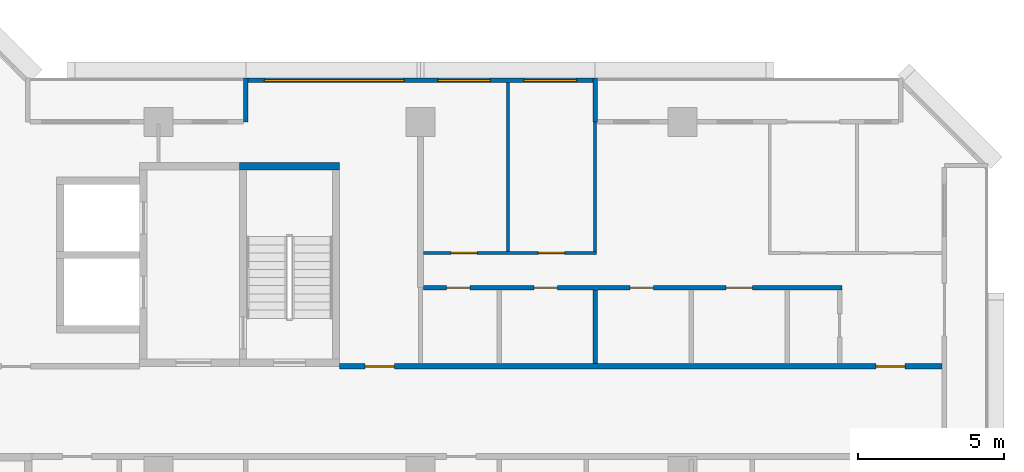
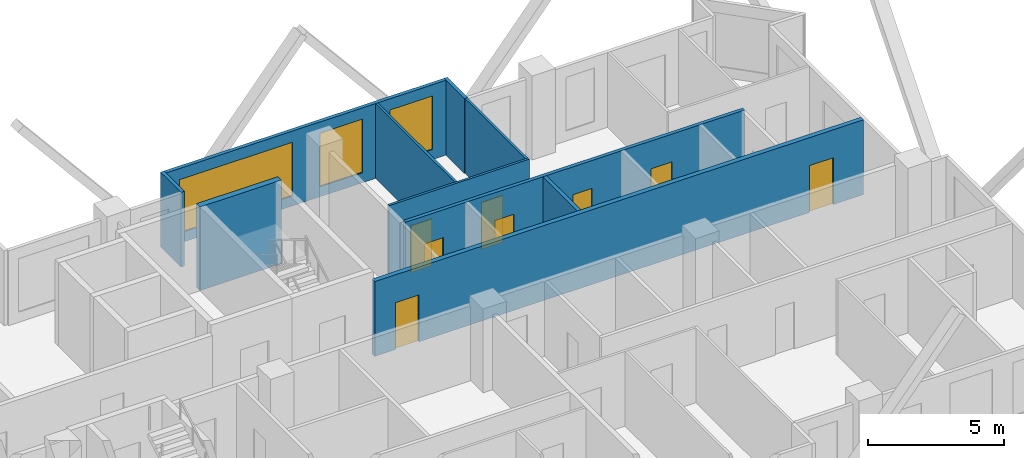
# One storey, part 8 of 16: 10 walls, 8 doors, 3 windows, 11 openings.
"""IFC4 building model written with IfcOpenShell, lengths in metres."""

from ifc_helpers import new_model, si_unit, direction, frame, frame_2d, origin, place, context, subcontext, project, spatial, rectangle, extrude, material, layer, layer_set, type_object, element, fill, save


model = new_model("IFC4")

# Units and contexts
model_context = context("Model", 3, precision=1e-05, world=origin(), true_north=direction((0.0, 1.0)))
body_context = subcontext(model_context, "Body", "Model", "MODEL_VIEW")
ifc_project = project(units=[si_unit("LENGTHUNIT", "METRE"), si_unit("AREAUNIT", "SQUARE_METRE"), si_unit("VOLUMEUNIT", "CUBIC_METRE"), si_unit("PLANEANGLEUNIT", "RADIAN"), si_unit("MASSUNIT", "GRAM", prefix="KILO")], contexts=[model_context])

# Site, building, storey
site_placement = place(None, origin())
site = spatial("IfcSite", under=ifc_project, at=site_placement, CompositionType="ELEMENT")
building_placement = place(site_placement, origin())
building = spatial("IfcBuilding", under=site, at=building_placement, Name="Chenar Terraces", CompositionType="ELEMENT")
storey_placement = place(building_placement, frame((0.0, 0.0, 99.39990234375)))
storey = spatial("IfcBuildingStorey", under=building, at=storey_placement, Name="L22", CompositionType="ELEMENT", Elevation=99.39990234375)

# Wall
ifc_material_1 = material(Name="Concrete C70/85", Category="concrete")
ifc_layer_1 = layer(ifc_material_1, 0.25)
ifc_layer_set_1 = layer_set([ifc_layer_1], Name="Concrete C70/85")
wall_type_1 = type_object("IfcWallType", Name="Core wall 250 Concrete C70/85", PredefinedType="SHEAR", material=ifc_layer_set_1)
wall_1_placement = place(storey_placement, frame((47.77490234375, 22.47509765625, 0.0), z_axis=(0.0, 0.0, 1.0), x_axis=(1.0, 0.0, 0.0)))
element("IfcWall", 1, at=wall_1_placement, inside=storey, type_object=wall_type_1, Name="Core wall ST3_N L22", PredefinedType="SHEAR", context=body_context, shape_type="SweptSolid", body=[
    extrude(rectangle(XDim=3.4501953125, YDim=0.25, at=frame_2d((1.72509765625, 0.0))), origin(), (0.0, 0.0, 1.0), 3.75),
])

# Wall, openings, doors
ifc_material_2 = material(Name="Gypsum board on steel studs with fire boards", Category="steel")
ifc_layer_2 = layer(ifc_material_2, 0.199951171875)
ifc_layer_set_2 = layer_set([ifc_layer_2], Name="Gypsum board on steel studs with fire boards")
wall_type_2 = type_object("IfcWallType", Name="Corridor wall 200", PredefinedType="PARTITIONING", material=ifc_layer_set_2)
wall_2_placement = place(storey_placement, frame((51.22509765625, 15.60009765625, 0.0), z_axis=(0.0, 0.0, 1.0), x_axis=(1.0, 0.0, 0.0)))
wall_2 = element("IfcWall", 2, at=wall_2_placement, inside=storey, type_object=wall_type_2, Name="Partition L22-074", PredefinedType="PARTITIONING", context=body_context, shape_type="SweptSolid", body=[
    extrude(rectangle(XDim=20.700927734375, YDim=0.199951171875, at=frame_2d((10.3505859375, 0.0))), origin(), (0.0, 0.0, 1.0), 3.35009765625),
])
opening_1_placement = place(wall_2_placement, frame((18.425048828125, 0.0, 0.0)))
opening_1 = element("IfcOpeningElement", 3, at=opening_1_placement, cuts=wall_2, Name="Opening DL22-10", PredefinedType="OPENING", context=body_context, shape_type="SweptSolid", body=[
    extrude(rectangle(XDim=1.0, YDim=2.10009765625, at=frame_2d((0.5, 1.050048828125))), frame((0.0, 0.10986328125, 0.0), z_axis=(0.0, -1.0, 0.0), x_axis=(1.0, 0.0, 0.0)), (0.0, 0.0, 1.0), 0.219970703125),
])
opening_2_placement = place(wall_2_placement, frame((0.875, 0.0, 0.0)))
opening_2 = element("IfcOpeningElement", 4, at=opening_2_placement, cuts=wall_2, Name="Opening DL22-51", PredefinedType="OPENING", context=body_context, shape_type="SweptSolid", body=[
    extrude(rectangle(XDim=1.0, YDim=2.10009765625, at=frame_2d((0.5, 1.050048828125))), frame((0.0, 0.10986328125, 0.0), z_axis=(0.0, -1.0, 0.0), x_axis=(1.0, 0.0, 0.0)), (0.0, 0.0, 1.0), 0.219970703125),
])
ifc_material_3 = material(Name="Steel-framed fire-resisting door leaf", Category="steel")
door_type_1 = type_object("IfcDoorType", Name="Fire door FD30S 1000 x 2100", OperationType="SINGLE_SWING_LEFT", PredefinedType="DOOR", material=ifc_material_3)
door_1_placement = place(opening_1_placement, origin())
door_1 = element("IfcDoor", 5, at=door_1_placement, inside=storey, type_object=door_type_1, Name="Door DL22-10", OperationType="SINGLE_SWING_LEFT", OverallHeight=2.10009765625, OverallWidth=1.0, PredefinedType="DOOR", context=body_context, shape_type="SweptSolid", body=[
    extrude(rectangle(XDim=1.0, YDim=2.10009765625, at=frame_2d((0.5, 1.050048828125))), frame((0.0, 0.02490234375, 0.0), z_axis=(0.0, -1.0, 0.0), x_axis=(1.0, 0.0, 0.0)), (0.0, 0.0, 1.0), 0.050048828125),
])
fill(opening_1, door_1)
door_2_placement = place(opening_2_placement, origin())
door_2 = element("IfcDoor", 6, at=door_2_placement, inside=storey, type_object=door_type_1, Name="Door DL22-51", OperationType="SINGLE_SWING_RIGHT", OverallHeight=2.10009765625, OverallWidth=1.0, PredefinedType="DOOR", context=body_context, shape_type="SweptSolid", body=[
    extrude(rectangle(XDim=1.0, YDim=2.10009765625, at=frame_2d((0.5, 1.050048828125))), frame((0.0, 0.02490234375, 0.0), z_axis=(0.0, -1.0, 0.0), x_axis=(1.0, 0.0, 0.0)), (0.0, 0.0, 1.0), 0.050048828125),
])
fill(opening_2, door_2)

# Wall, openings, windows
ifc_material_4 = material(Name="Aluminium framed glazing", Category="aluminium")
ifc_layer_3 = layer(ifc_material_4, 0.14990234375)
ifc_layer_set_3 = layer_set([ifc_layer_3], Name="Aluminium framed glazing")
wall_type_3 = type_object("IfcWallType", Name="Glazed flush facade wall 150", PredefinedType="SOLIDWALL", material=ifc_layer_set_3)
wall_3_placement = place(storey_placement, frame((59.925048828125, 25.425048828125, 0.0), z_axis=(0.0, 0.0, 1.0), x_axis=(-1.0, 0.0, 0.0)))
wall_3 = element("IfcWall", 7, at=wall_3_placement, inside=storey, type_object=wall_type_3, Name="Glazed flush facade wall", PredefinedType="SOLIDWALL", context=body_context, shape_type="SweptSolid", body=[
    extrude(rectangle(XDim=11.85009765625, YDim=0.14990234375, at=frame_2d((5.925048828125, 0.0))), origin(), (0.0, 0.0, 1.0), 3.35009765625),
])
opening_3_placement = place(wall_3_placement, frame((0.5625, 0.0, 0.449951171875)))
opening_3 = element("IfcOpeningElement", 8, at=opening_3_placement, cuts=wall_3, Name="Opening W180x240", PredefinedType="OPENING", context=body_context, shape_type="SweptSolid", body=[
    extrude(rectangle(XDim=1.800048828125, YDim=2.39990234375, at=frame_2d((0.89990234375, 1.199951171875))), frame((0.0, 0.0849609375, 0.0), z_axis=(0.0, -1.0, 0.0), x_axis=(1.0, 0.0, 0.0)), (0.0, 0.0, 1.0), 0.169921875),
])
opening_4_placement = place(wall_3_placement, frame((3.52490234375, 0.0, 0.449951171875)))
opening_4 = element("IfcOpeningElement", 9, at=opening_4_placement, cuts=wall_3, Name="Opening W180x240", PredefinedType="OPENING", context=body_context, shape_type="SweptSolid", body=[
    extrude(rectangle(XDim=1.800048828125, YDim=2.39990234375, at=frame_2d((0.89990234375, 1.199951171875))), frame((0.0, 0.0849609375, 0.0), z_axis=(0.0, -1.0, 0.0), x_axis=(1.0, 0.0, 0.0)), (0.0, 0.0, 1.0), 0.169921875),
])
opening_5_placement = place(wall_3_placement, frame((6.487548828125, 0.0, 0.449951171875)))
opening_5 = element("IfcOpeningElement", 10, at=opening_5_placement, cuts=wall_3, Name="Opening W480x240", PredefinedType="OPENING", context=body_context, shape_type="SweptSolid", body=[
    extrude(rectangle(XDim=4.800048828125, YDim=2.39990234375, at=frame_2d((2.39990234375, 1.199951171875))), frame((0.0, 0.0849609375, 0.0), z_axis=(0.0, -1.0, 0.0), x_axis=(1.0, 0.0, 0.0)), (0.0, 0.0, 1.0), 0.169921875),
])
ifc_material_5 = material(Name="Low emissivity double glazing, aluminium frame", Category="aluminium")
window_type_1 = type_object("IfcWindowType", Name="Fixed light 1800 x 2400", PartitioningType="SINGLE_PANEL", PredefinedType="WINDOW", material=ifc_material_5)
window_1_placement = place(opening_3_placement, origin())
window_1 = element("IfcWindow", 11, at=window_1_placement, inside=storey, type_object=window_type_1, Name="Window", OverallHeight=2.39990234375, OverallWidth=1.800048828125, PartitioningType="SINGLE_PANEL", PredefinedType="WINDOW", context=body_context, shape_type="SweptSolid", body=[
    extrude(rectangle(XDim=1.800048828125, YDim=2.39990234375, at=frame_2d((0.89990234375, 1.199951171875))), frame((0.0, 0.030029296875, 0.0), z_axis=(0.0, -1.0, 0.0), x_axis=(1.0, 0.0, 0.0)), (0.0, 0.0, 1.0), 0.06005859375),
])
fill(opening_3, window_1)
window_2_placement = place(opening_4_placement, origin())
window_2 = element("IfcWindow", 12, at=window_2_placement, inside=storey, type_object=window_type_1, Name="Window", OverallHeight=2.39990234375, OverallWidth=1.800048828125, PartitioningType="SINGLE_PANEL", PredefinedType="WINDOW", context=body_context, shape_type="SweptSolid", body=[
    extrude(rectangle(XDim=1.800048828125, YDim=2.39990234375, at=frame_2d((0.89990234375, 1.199951171875))), frame((0.0, 0.030029296875, 0.0), z_axis=(0.0, -1.0, 0.0), x_axis=(1.0, 0.0, 0.0)), (0.0, 0.0, 1.0), 0.06005859375),
])
fill(opening_4, window_2)
ifc_material_6 = material(Name="Low emissivity double glazing, aluminium frame", Category="aluminium")
window_type_2 = type_object("IfcWindowType", Name="Fixed light 4800 x 2400", PartitioningType="SINGLE_PANEL", PredefinedType="WINDOW", material=ifc_material_6)
window_3_placement = place(opening_5_placement, origin())
window_3 = element("IfcWindow", 13, at=window_3_placement, inside=storey, type_object=window_type_2, Name="Window", OverallHeight=2.39990234375, OverallWidth=4.800048828125, PartitioningType="SINGLE_PANEL", PredefinedType="WINDOW", context=body_context, shape_type="SweptSolid", body=[
    extrude(rectangle(XDim=4.800048828125, YDim=2.39990234375, at=frame_2d((2.39990234375, 1.199951171875))), frame((0.0, 0.030029296875, 0.0), z_axis=(0.0, -1.0, 0.0), x_axis=(1.0, 0.0, 0.0)), (0.0, 0.0, 1.0), 0.06005859375),
])
fill(opening_5, window_3)

# Wall, openings, doors
ifc_material_7 = material(Name="Gypsum board on steel studs", Category="steel")
ifc_layer_4 = layer(ifc_material_7, 0.10009765625)
ifc_layer_set_4 = layer_set([ifc_layer_4], Name="Gypsum board on steel studs")
wall_type_4 = type_object("IfcWallType", Name="Gypsum partition 100", PredefinedType="PARTITIONING", material=ifc_layer_set_4)
wall_4_placement = place(storey_placement, frame((54.10009765625, 19.5, 0.0), z_axis=(0.0, 0.0, 1.0), x_axis=(1.0, 0.0, 0.0)))
wall_4 = element("IfcWall", 14, at=wall_4_placement, inside=storey, type_object=wall_type_4, Name="Partition L22-080", PredefinedType="PARTITIONING", context=body_context, shape_type="SweptSolid", body=[
    extrude(rectangle(XDim=5.949951171875, YDim=0.10009765625, at=frame_2d((2.97509765625, 0.0))), origin(), (0.0, 0.0, 1.0), 3.35009765625),
])
opening_6_placement = place(wall_4_placement, frame((0.949951171875, 0.0, 0.0)))
opening_6 = element("IfcOpeningElement", 15, at=opening_6_placement, cuts=wall_4, Name="Opening DL22-5", PredefinedType="OPENING", context=body_context, shape_type="SweptSolid", body=[
    extrude(rectangle(XDim=0.89990234375, YDim=2.10009765625, at=frame_2d((0.449951171875, 1.050048828125))), frame((0.0, 0.06005859375, 0.0), z_axis=(0.0, -1.0, 0.0), x_axis=(1.0, 0.0, 0.0)), (0.0, 0.0, 1.0), 0.1201171875),
])
opening_7_placement = place(wall_4_placement, frame((3.949951171875, 0.0, 0.0)))
opening_7 = element("IfcOpeningElement", 16, at=opening_7_placement, cuts=wall_4, Name="Opening DL22-6", PredefinedType="OPENING", context=body_context, shape_type="SweptSolid", body=[
    extrude(rectangle(XDim=0.89990234375, YDim=2.10009765625, at=frame_2d((0.449951171875, 1.050048828125))), frame((0.0, 0.06005859375, 0.0), z_axis=(0.0, -1.0, 0.0), x_axis=(1.0, 0.0, 0.0)), (0.0, 0.0, 1.0), 0.1201171875),
])
ifc_material_8 = material(Name="Veneered timber door leaf", Category="wood")
door_type_2 = type_object("IfcDoorType", Name="Door 900 x 2100", OperationType="SINGLE_SWING_LEFT", PredefinedType="DOOR", material=ifc_material_8)
door_3_placement = place(opening_6_placement, origin())
door_3 = element("IfcDoor", 17, at=door_3_placement, inside=storey, type_object=door_type_2, Name="Door DL22-5", OperationType="SINGLE_SWING_RIGHT", OverallHeight=2.10009765625, OverallWidth=0.89990234375, PredefinedType="DOOR", context=body_context, shape_type="SweptSolid", body=[
    extrude(rectangle(XDim=0.89990234375, YDim=2.10009765625, at=frame_2d((0.449951171875, 1.050048828125))), frame((0.0, 0.02490234375, 0.0), z_axis=(0.0, -1.0, 0.0), x_axis=(1.0, 0.0, 0.0)), (0.0, 0.0, 1.0), 0.050048828125),
])
fill(opening_6, door_3)
door_4_placement = place(opening_7_placement, origin())
door_4 = element("IfcDoor", 18, at=door_4_placement, inside=storey, type_object=door_type_2, Name="Door DL22-6", OperationType="SINGLE_SWING_RIGHT", OverallHeight=2.10009765625, OverallWidth=0.89990234375, PredefinedType="DOOR", context=body_context, shape_type="SweptSolid", body=[
    extrude(rectangle(XDim=0.89990234375, YDim=2.10009765625, at=frame_2d((0.449951171875, 1.050048828125))), frame((0.0, 0.02490234375, 0.0), z_axis=(0.0, -1.0, 0.0), x_axis=(1.0, 0.0, 0.0)), (0.0, 0.0, 1.0), 0.050048828125),
])
fill(opening_7, door_4)

# Walls
wall_5_placement = place(storey_placement, frame((57.0, 19.550048828125, 0.0), z_axis=(0.0, 0.0, 1.0), x_axis=(0.0, 1.0, 0.0)))
element("IfcWall", 19, at=wall_5_placement, inside=storey, type_object=wall_type_4, Name="Partition L22-085", PredefinedType="PARTITIONING", context=body_context, shape_type="SweptSolid", body=[
    extrude(rectangle(XDim=5.801025390625, YDim=0.10009765625, at=frame_2d((2.900390625, 0.0))), origin(), (0.0, 0.0, 1.0), 3.35009765625),
])
wall_6_placement = place(storey_placement, frame((60.0, 19.550048828125, 0.0), z_axis=(0.0, 0.0, 1.0), x_axis=(0.0, 1.0, 0.0)))
element("IfcWall", 20, at=wall_6_placement, inside=storey, type_object=wall_type_4, Name="Partition L22-089", PredefinedType="PARTITIONING", context=body_context, shape_type="SweptSolid", body=[
    extrude(rectangle(XDim=4.449951171875, YDim=0.10009765625, at=frame_2d((2.22509765625, 0.0))), origin(), (0.0, 0.0, 1.0), 3.35009765625),
])
ifc_material_9 = material(Name="Terracotta cladding on insulated backing", Category="masonry")
ifc_layer_5 = layer(ifc_material_9, 0.14990234375)
ifc_layer_set_5 = layer_set([ifc_layer_5], Name="Terracotta cladding on insulated backing")
wall_type_5 = type_object("IfcWallType", Name="Loggia return wall 150", PredefinedType="SOLIDWALL", material=ifc_layer_set_5)
for number, where, z_axis, x_axis, name in (
    (21, (60.0, 25.5, 0.0), (0.0, 0.0, 1.0), (0.0, -1.0, 0.0), "Loggia return wall"),
    (22, (48.0, 25.5, 0.0), (0.0, 0.0, 1.0), (0.0, -1.0, 0.0), "Loggia return wall"),
):
    element("IfcWall", number, at=place(storey_placement, frame(where, z_axis=z_axis, x_axis=x_axis)), inside=storey, type_object=wall_type_5, Name=name, PredefinedType="SOLIDWALL", context=body_context, shape_type="SweptSolid", body=[
        extrude(rectangle(XDim=1.5, YDim=0.14990234375, at=frame_2d((0.75, 0.0))), origin(), (0.0, 0.0, 1.0), 3.35009765625),
    ])

# Wall, openings, doors
ifc_material_10 = material(Name="Moisture-resistant gypsum board on steel studs", Category="steel")
ifc_layer_6 = layer(ifc_material_10, 0.14990234375)
ifc_layer_set_6 = layer_set([ifc_layer_6], Name="Moisture-resistant gypsum board on steel studs")
wall_type_6 = type_object("IfcWallType", Name="Wet-room partition 150", PredefinedType="PARTITIONING", material=ifc_layer_set_6)
wall_7_placement = place(storey_placement, frame((54.10009765625, 18.300048828125, 0.0), z_axis=(0.0, 0.0, 1.0), x_axis=(1.0, 0.0, 0.0)))
wall_7 = element("IfcWall", 23, at=wall_7_placement, inside=storey, type_object=wall_type_6, Name="Partition L22-079", PredefinedType="PARTITIONING", context=body_context, shape_type="SweptSolid", body=[
    extrude(rectangle(XDim=14.375, YDim=0.14990234375, at=frame_2d((7.1875, 0.0))), origin(), (0.0, 0.0, 1.0), 3.35009765625),
])
opening_8_placement = place(wall_7_placement, frame((3.800048828125, 0.0, 0.0)))
opening_8 = element("IfcOpeningElement", 24, at=opening_8_placement, cuts=wall_7, Name="Opening DL22-4", PredefinedType="OPENING", context=body_context, shape_type="SweptSolid", body=[
    extrude(rectangle(XDim=0.800048828125, YDim=2.10009765625, at=frame_2d((0.39990234375, 1.050048828125))), frame((0.0, 0.0849609375, 0.0), z_axis=(0.0, -1.0, 0.0), x_axis=(1.0, 0.0, 0.0)), (0.0, 0.0, 1.0), 0.169921875),
])
opening_9_placement = place(wall_7_placement, frame((10.39990234375, 0.0, 0.0)))
opening_9 = element("IfcOpeningElement", 25, at=opening_9_placement, cuts=wall_7, Name="Opening DL22-8", PredefinedType="OPENING", context=body_context, shape_type="SweptSolid", body=[
    extrude(rectangle(XDim=0.89990234375, YDim=2.10009765625, at=frame_2d((0.449951171875, 1.050048828125))), frame((0.0, 0.0849609375, 0.0), z_axis=(0.0, -1.0, 0.0), x_axis=(1.0, 0.0, 0.0)), (0.0, 0.0, 1.0), 0.169921875),
])
opening_10_placement = place(wall_7_placement, frame((0.800048828125, 0.0, 0.0)))
opening_10 = element("IfcOpeningElement", 26, at=opening_10_placement, cuts=wall_7, Name="Opening DL22-9", PredefinedType="OPENING", context=body_context, shape_type="SweptSolid", body=[
    extrude(rectangle(XDim=0.800048828125, YDim=2.10009765625, at=frame_2d((0.39990234375, 1.050048828125))), frame((0.0, 0.0849609375, 0.0), z_axis=(0.0, -1.0, 0.0), x_axis=(1.0, 0.0, 0.0)), (0.0, 0.0, 1.0), 0.169921875),
])
opening_11_placement = place(wall_7_placement, frame((7.10009765625, 0.0, 0.0)))
opening_11 = element("IfcOpeningElement", 27, at=opening_11_placement, cuts=wall_7, Name="Opening DL22-12", PredefinedType="OPENING", context=body_context, shape_type="SweptSolid", body=[
    extrude(rectangle(XDim=0.800048828125, YDim=2.10009765625, at=frame_2d((0.39990234375, 1.050048828125))), frame((0.0, 0.0849609375, 0.0), z_axis=(0.0, -1.0, 0.0), x_axis=(1.0, 0.0, 0.0)), (0.0, 0.0, 1.0), 0.169921875),
])
ifc_material_11 = material(Name="Veneered timber door leaf", Category="wood")
door_type_3 = type_object("IfcDoorType", Name="Door 800 x 2100", OperationType="SINGLE_SWING_LEFT", PredefinedType="DOOR", material=ifc_material_11)
door_5_placement = place(opening_8_placement, frame((0.800048828125, 0.0, 0.0), z_axis=(0.0, 0.0, 1.0), x_axis=(-1.0, 0.0, 0.0)))
door_5 = element("IfcDoor", 28, at=door_5_placement, inside=storey, type_object=door_type_3, Name="Door DL22-4", OperationType="SINGLE_SWING_RIGHT", OverallHeight=2.10009765625, OverallWidth=0.800048828125, PredefinedType="DOOR", context=body_context, shape_type="SweptSolid", body=[
    extrude(rectangle(XDim=0.800048828125, YDim=2.10009765625, at=frame_2d((0.39990234375, 1.050048828125))), frame((0.0, 0.02490234375, 0.0), z_axis=(0.0, -1.0, 0.0), x_axis=(1.0, 0.0, 0.0)), (0.0, 0.0, 1.0), 0.050048828125),
])
fill(opening_8, door_5)
door_6_placement = place(opening_10_placement, frame((0.800048828125, 0.0, 0.0), z_axis=(0.0, 0.0, 1.0), x_axis=(-1.0, 0.0, 0.0)))
door_6 = element("IfcDoor", 29, at=door_6_placement, inside=storey, type_object=door_type_3, Name="Door DL22-9", OperationType="SINGLE_SWING_RIGHT", OverallHeight=2.10009765625, OverallWidth=0.800048828125, PredefinedType="DOOR", context=body_context, shape_type="SweptSolid", body=[
    extrude(rectangle(XDim=0.800048828125, YDim=2.10009765625, at=frame_2d((0.39990234375, 1.050048828125))), frame((0.0, 0.02490234375, 0.0), z_axis=(0.0, -1.0, 0.0), x_axis=(1.0, 0.0, 0.0)), (0.0, 0.0, 1.0), 0.050048828125),
])
fill(opening_10, door_6)
door_7_placement = place(opening_11_placement, frame((0.800048828125, 0.0, 0.0), z_axis=(0.0, 0.0, 1.0), x_axis=(-1.0, 0.0, 0.0)))
door_7 = element("IfcDoor", 30, at=door_7_placement, inside=storey, type_object=door_type_3, Name="Door DL22-12", OperationType="SINGLE_SWING_RIGHT", OverallHeight=2.10009765625, OverallWidth=0.800048828125, PredefinedType="DOOR", context=body_context, shape_type="SweptSolid", body=[
    extrude(rectangle(XDim=0.800048828125, YDim=2.10009765625, at=frame_2d((0.39990234375, 1.050048828125))), frame((0.0, 0.02490234375, 0.0), z_axis=(0.0, -1.0, 0.0), x_axis=(1.0, 0.0, 0.0)), (0.0, 0.0, 1.0), 0.050048828125),
])
fill(opening_11, door_7)
door_8_placement = place(opening_9_placement, frame((0.89990234375, 0.0, 0.0), z_axis=(0.0, 0.0, 1.0), x_axis=(-1.0, 0.0, 0.0)))
door_8 = element("IfcDoor", 31, at=door_8_placement, inside=storey, type_object=door_type_2, Name="Door DL22-8", OperationType="SINGLE_SWING_LEFT", OverallHeight=2.10009765625, OverallWidth=0.89990234375, PredefinedType="DOOR", context=body_context, shape_type="SweptSolid", body=[
    extrude(rectangle(XDim=0.89990234375, YDim=2.10009765625, at=frame_2d((0.449951171875, 1.050048828125))), frame((0.0, 0.02490234375, 0.0), z_axis=(0.0, -1.0, 0.0), x_axis=(1.0, 0.0, 0.0)), (0.0, 0.0, 1.0), 0.050048828125),
])
fill(opening_9, door_8)

# Wall
wall_8_placement = place(storey_placement, frame((60.0, 15.699951171875, 0.0), z_axis=(0.0, 0.0, 1.0), x_axis=(0.0, 1.0, 0.0)))
element("IfcWall", 32, at=wall_8_placement, inside=storey, type_object=wall_type_6, Name="Partition L22-088", PredefinedType="PARTITIONING", context=body_context, shape_type="SweptSolid", body=[
    extrude(rectangle(XDim=2.525146484375, YDim=0.14990234375, at=frame_2d((1.2626953125, 0.0))), origin(), (0.0, 0.0, 1.0), 3.35009765625),
])

save(model, "model.ifc")
